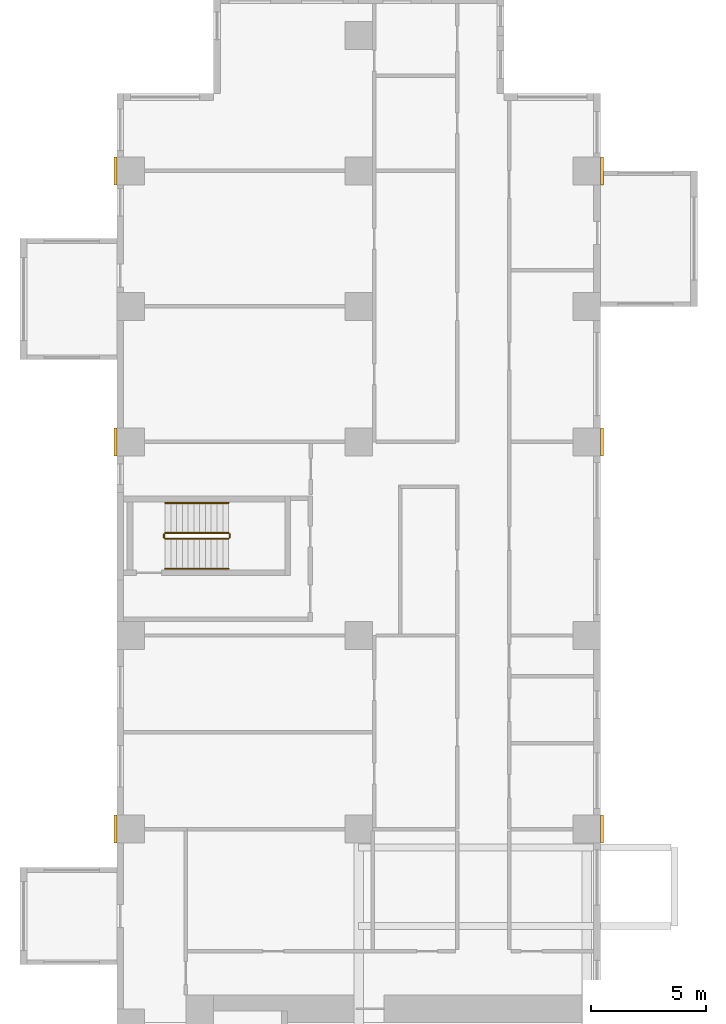
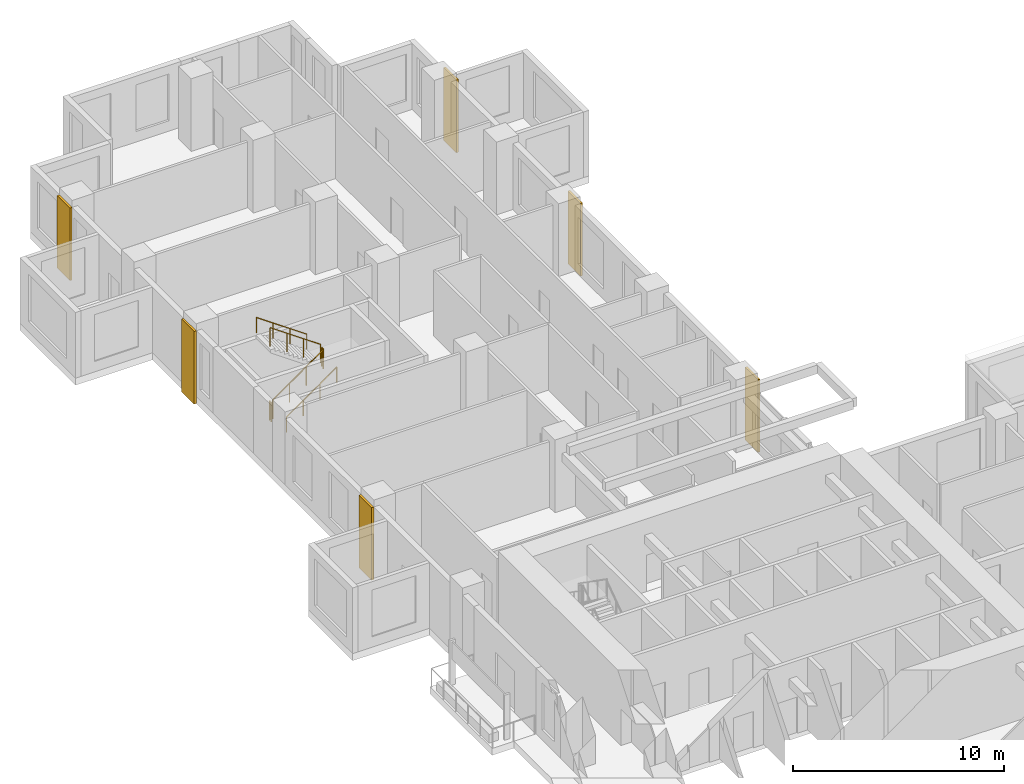
# One storey, part 13 of 14: 6 coverings, 6 railings.
"""IFC4 building model written with IfcOpenShell, lengths in metres."""

from ifc_helpers import new_model, si_unit, direction, frame, origin, origin_2d, place, context, subcontext, project, spatial, rectangle, circle, extrude, source, transform, mapped, material, type_object, element, save


model = new_model("IFC4")

# Units and contexts
model_context = context("Model", 3, precision=1e-05, world=origin(), true_north=direction((0.0, 1.0)))
body_context = subcontext(model_context, "Body", "Model", "MODEL_VIEW")
ifc_project = project(units=[si_unit("LENGTHUNIT", "METRE"), si_unit("AREAUNIT", "SQUARE_METRE"), si_unit("VOLUMEUNIT", "CUBIC_METRE"), si_unit("PLANEANGLEUNIT", "RADIAN"), si_unit("MASSUNIT", "GRAM", prefix="KILO")], contexts=[model_context])

# Site, building, storey
site_placement = place(None, origin())
site = spatial("IfcSite", under=ifc_project, at=site_placement, CompositionType="ELEMENT")
building_placement = place(site_placement, origin())
building = spatial("IfcBuilding", under=site, at=building_placement, Name="Aurelian Terraces", CompositionType="ELEMENT")
storey_placement = place(building_placement, frame((0.0, 0.0, 57.3)))
storey = spatial("IfcBuildingStorey", under=building, at=storey_placement, Name="L11", CompositionType="ELEMENT", Elevation=57.3)

# Coverings
ifc_material_1 = material(Name="Terracotta rainscreen cladding relief", Category="masonry")
covering_type = type_object("IfcCoveringType", Name="BAGUETTE-TC", PredefinedType="CLADDING", material=ifc_material_1)
shared_shape_1 = source(origin(), body_context, "Body", "SweptSolid", [
    extrude(rectangle(XDim=0.12, YDim=1.2, at=origin_2d()), origin(), (0.0, 0.0, 1.0), 4.2),
])
for number, where, z_axis, x_axis, name in (
    (1, (-0.06, 29.4, -0.4), (0.0, 0.0, 1.0), (1.0, 0.0, 0.0), "BAGUETTE pier L11 8"),
    (2, (21.06, 29.4, -0.4), (0.0, 0.0, 1.0), (1.0, 0.0, 0.0), "BAGUETTE pier L11 9"),
    (3, (-0.06, 46.2, -0.4), (0.0, 0.0, 1.0), (1.0, 0.0, 0.0), "BAGUETTE pier L11 10"),
    (4, (21.06, 46.2, -0.4), (0.0, 0.0, 1.0), (1.0, 0.0, 0.0), "BAGUETTE pier L11 11"),
    (5, (-0.06, 57.96, -0.4), (0.0, 0.0, 1.0), (1.0, 0.0, 0.0), "BAGUETTE pier L11 12"),
    (6, (21.06, 57.96, -0.4), (0.0, 0.0, 1.0), (1.0, 0.0, 0.0), "BAGUETTE pier L11 13"),
):
    element("IfcCovering", number, at=place(storey_placement, frame(where, z_axis=z_axis, x_axis=x_axis)), inside=storey, type_object=covering_type, Name=name, PredefinedType="CLADDING", context=body_context, shape_type="MappedRepresentation", body=[
        mapped(shared_shape_1, transform((0.0, 0.0, 0.0), scale=1.0)),
    ])

# Railings
ifc_material_2 = material(Name="Stainless steel", Category="steel")
railing_type_1 = type_object("IfcRailingType", Name="Stair guard 1100", PredefinedType="GUARDRAIL", material=ifc_material_2)
shared_shape_2 = source(origin(), body_context, "Body", "SweptSolid", [
    extrude(circle(Radius=0.024, at=origin_2d()), frame((0.0, 0.0, 1.076), z_axis=(0.0, 1.0, 0.0), x_axis=(-1.0, 0.0, 0.0)), (0.0, 0.0, 1.0), 0.15),
    extrude(circle(Radius=0.021, at=origin_2d()), origin(), (0.0, 0.0, 1.0), 1.052),
    extrude(circle(Radius=0.021, at=origin_2d()), frame((0.0, 0.15, 0.0)), (0.0, 0.0, 1.0), 1.052),
])
for number, where, name in (
    (7, (4.9, 42.05, 2.1), "L11 S3 stair guard 2"),
    (8, (2.05, 42.05, 0.0), "L11 S3 stair guard 4"),
):
    element("IfcRailing", number, at=place(storey_placement, frame(where)), inside=storey, type_object=railing_type_1, Name=name, PredefinedType="GUARDRAIL", context=body_context, shape_type="MappedRepresentation", body=[
        mapped(shared_shape_2, transform((0.0, 0.0, 0.0), scale=1.0)),
    ])
shared_shape_3 = source(origin(), body_context, "Body", "SweptSolid", [
    extrude(circle(Radius=0.024, at=origin_2d()), frame((0.0, 0.0, 1.076), z_axis=(0.819231920519, 0.0, 0.573462344363), x_axis=(0.0, 1.0, 0.0)), (0.0, 0.0, 1.0), 3.3568),
    extrude(circle(Radius=0.021, at=origin_2d()), origin(), (0.0, 0.0, 1.0), 1.052),
    extrude(circle(Radius=0.021, at=origin_2d()), frame((0.9167, 0.0, 0.6417)), (0.0, 0.0, 1.0), 1.052),
    extrude(circle(Radius=0.021, at=origin_2d()), frame((1.8333, 0.0, 1.2833)), (0.0, 0.0, 1.0), 1.052),
    extrude(circle(Radius=0.021, at=origin_2d()), frame((2.75, 0.0, 1.925)), (0.0, 0.0, 1.0), 1.052),
])
railing_1_placement = place(storey_placement, frame((2.1, 42.0, 0.175)))
element("IfcRailing", 9, at=railing_1_placement, inside=storey, type_object=railing_type_1, Name="L11 S3 stair guard 1", PredefinedType="GUARDRAIL", context=body_context, shape_type="MappedRepresentation", body=[
    mapped(shared_shape_3, transform((0.0, 0.0, 0.0), scale=1.0)),
])
shared_shape_4 = source(origin(), body_context, "Body", "SweptSolid", [
    extrude(circle(Radius=0.024, at=origin_2d()), frame((0.0, 0.0, 1.076), z_axis=(-0.819231920519, 0.0, 0.573462344363), x_axis=(0.0, -1.0, 0.0)), (0.0, 0.0, 1.0), 3.3568),
    extrude(circle(Radius=0.021, at=origin_2d()), origin(), (0.0, 0.0, 1.0), 1.052),
    extrude(circle(Radius=0.021, at=origin_2d()), frame((-0.9167, 0.0, 0.6417)), (0.0, 0.0, 1.0), 1.052),
    extrude(circle(Radius=0.021, at=origin_2d()), frame((-1.8333, 0.0, 1.2833)), (0.0, 0.0, 1.0), 1.052),
    extrude(circle(Radius=0.021, at=origin_2d()), frame((-2.75, 0.0, 1.925)), (0.0, 0.0, 1.0), 1.052),
])
railing_2_placement = place(storey_placement, frame((4.85, 42.25, 2.275)))
element("IfcRailing", 10, at=railing_2_placement, inside=storey, type_object=railing_type_1, Name="L11 S3 stair guard 3", PredefinedType="GUARDRAIL", context=body_context, shape_type="MappedRepresentation", body=[
    mapped(shared_shape_4, transform((0.0, 0.0, 0.0), scale=1.0)),
])
railing_type_2 = type_object("IfcRailingType", Name="Stair handrail", PredefinedType="HANDRAIL", material=ifc_material_2)
shared_shape_5 = source(origin(), body_context, "Body", "SweptSolid", [
    extrude(circle(Radius=0.024, at=origin_2d()), frame((0.0, 0.0, 0.876), z_axis=(0.819231920519, 0.0, 0.573462344363), x_axis=(0.0, 1.0, 0.0)), (0.0, 0.0, 1.0), 3.3568),
    extrude(circle(Radius=0.021, at=origin_2d()), origin(), (0.0, 0.0, 1.0), 0.852),
    extrude(circle(Radius=0.021, at=origin_2d()), frame((0.9167, 0.0, 0.6417)), (0.0, 0.0, 1.0), 0.852),
    extrude(circle(Radius=0.021, at=origin_2d()), frame((1.8333, 0.0, 1.2833)), (0.0, 0.0, 1.0), 0.852),
    extrude(circle(Radius=0.021, at=origin_2d()), frame((2.75, 0.0, 1.925)), (0.0, 0.0, 1.0), 0.852),
])
railing_3_placement = place(storey_placement, frame((2.1, 40.7, 0.175)))
element("IfcRailing", 11, at=railing_3_placement, inside=storey, type_object=railing_type_2, Name="L11 S3 stair handrail 1", PredefinedType="HANDRAIL", context=body_context, shape_type="MappedRepresentation", body=[
    mapped(shared_shape_5, transform((0.0, 0.0, 0.0), scale=1.0)),
])
shared_shape_6 = source(origin(), body_context, "Body", "SweptSolid", [
    extrude(circle(Radius=0.024, at=origin_2d()), frame((0.0, 0.0, 0.876), z_axis=(-0.819231920519, 0.0, 0.573462344363), x_axis=(0.0, -1.0, 0.0)), (0.0, 0.0, 1.0), 3.3568),
    extrude(circle(Radius=0.021, at=origin_2d()), origin(), (0.0, 0.0, 1.0), 0.852),
    extrude(circle(Radius=0.021, at=origin_2d()), frame((-0.9167, 0.0, 0.6417)), (0.0, 0.0, 1.0), 0.852),
    extrude(circle(Radius=0.021, at=origin_2d()), frame((-1.8333, 0.0, 1.2833)), (0.0, 0.0, 1.0), 0.852),
    extrude(circle(Radius=0.021, at=origin_2d()), frame((-2.75, 0.0, 1.925)), (0.0, 0.0, 1.0), 0.852),
])
railing_4_placement = place(storey_placement, frame((4.85, 43.55, 2.275)))
element("IfcRailing", 12, at=railing_4_placement, inside=storey, type_object=railing_type_2, Name="L11 S3 stair handrail 2", PredefinedType="HANDRAIL", context=body_context, shape_type="MappedRepresentation", body=[
    mapped(shared_shape_6, transform((0.0, 0.0, 0.0), scale=1.0)),
])

save(model, "model.ifc")
